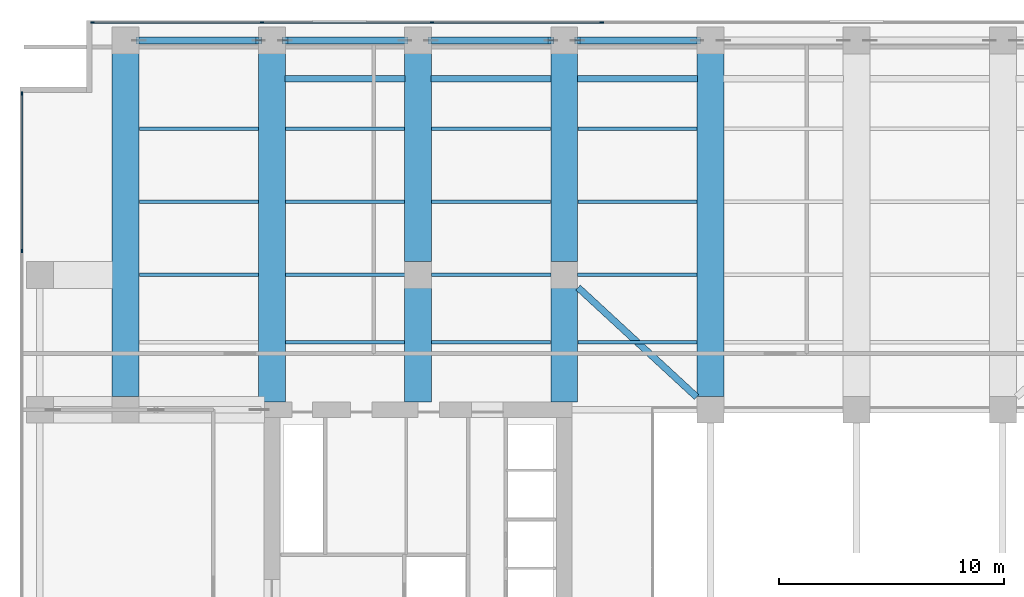
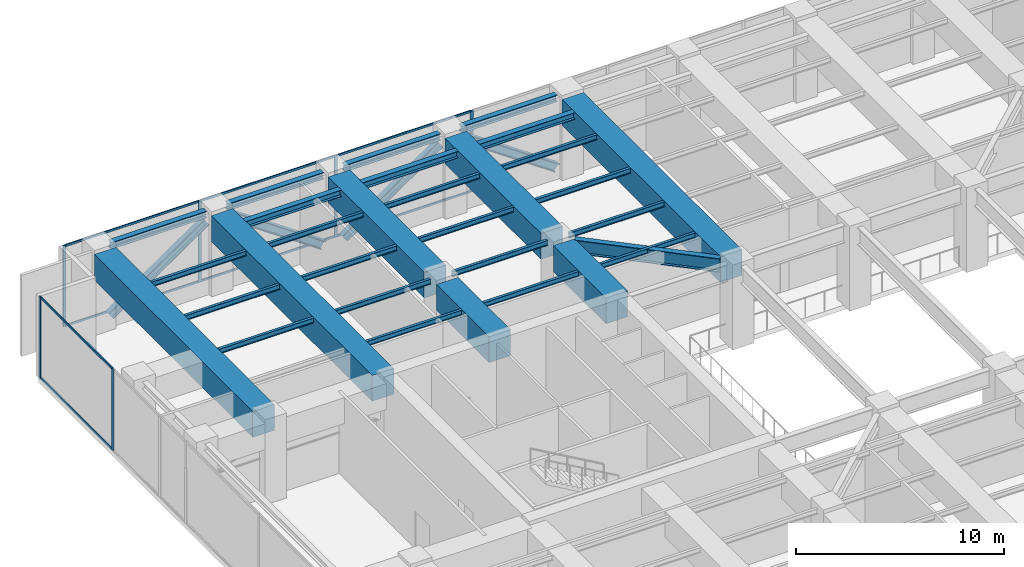
# One storey, part 8 of 28: 30 beams, 18 members, 2 elements without a shape of their own.
"""IFC4 building model written with IfcOpenShell, lengths in metres."""

import ifcopenshell
import ifcopenshell.guid

model = None  # the IFC model being written
_history = None  # IfcOwnerHistory: only IFC2X3 demands one
_inside = {}  # id of a spatial element -> (the spatial element, [elements in it])
_under = {}  # id of a project, library or spatial element -> (it, [spatial elements below it])
_declared = {}  # id of a project -> (the project, [libraries it declares])
_typed = {}  # id of a type object -> (the type object, [elements of that type])
_made_of = {}  # id of a material, layer set ... -> (it, [elements and type objects made of it])


def new_model(schema):
    """Start an empty IFC model of exactly this schema.

    Asked for "IFC4X3", IfcOpenShell would pick the latest addendum, in which some entities
    have other attributes; the version numbers below select the first issue.
    IFC2X3 requires an IfcOwnerHistory on every rooted entity: one is made here for all.
    """
    global model, _history
    if schema == "IFC4X3":
        model = ifcopenshell.file(schema_version=(4, 3, 0, 0))
    else:
        model = ifcopenshell.file(schema=schema)
    _inside.clear()
    _under.clear()
    _declared.clear()
    _typed.clear()
    _made_of.clear()
    _history = None
    if model.schema == "IFC2X3":
        org = make("IfcOrganization", Name="unknown")
        user = make(
            "IfcPersonAndOrganization",
            ThePerson=make("IfcPerson", FamilyName="unknown"),
            TheOrganization=org,
        )
        app = make(
            "IfcApplication",
            ApplicationDeveloper=org,
            Version="unknown",
            ApplicationFullName="unknown",
            ApplicationIdentifier="unknown",
        )
        _history = make(
            "IfcOwnerHistory",
            OwningUser=user,
            OwningApplication=app,
            ChangeAction="ADDED",
            CreationDate=0,
        )
    return model


def make(cls, **values):
    """One entity of the class cls with the attributes given. An attribute that is None is left unset."""
    return model.create_entity(
        cls, **{name: value for name, value in values.items() if value is not None}
    )


def rooted(cls, **values):
    """An entity with a GlobalId (a new one), such as an element, a storey or a relation."""
    return make(cls, GlobalId=ifcopenshell.guid.new(), OwnerHistory=_history, **values)


def si_unit(unit_type, name, prefix=None):
    """IfcSIUnit, for example si_unit("LENGTHUNIT", "METRE", prefix="MILLI")."""
    return make("IfcSIUnit", UnitType=unit_type, Prefix=prefix, Name=name)


def assignment(units):
    """IfcUnitAssignment: the units of a project."""
    return None if units is None else make("IfcUnitAssignment", Units=units)


def point(xyz):
    """IfcCartesianPoint."""
    return None if xyz is None else make("IfcCartesianPoint", Coordinates=xyz)


def direction(xyz):
    """IfcDirection."""
    return None if xyz is None else make("IfcDirection", DirectionRatios=xyz)


def frame(location, z_axis=None, x_axis=None):
    """IfcAxis2Placement3D, a coordinate frame: its origin and axes. An axis left out is left unset."""
    return make(
        "IfcAxis2Placement3D",
        Location=point(location),
        Axis=direction(z_axis),
        RefDirection=direction(x_axis),
    )


def frame_2d(location, x_axis=None):
    """IfcAxis2Placement2D, a coordinate frame in the plane: its origin and x axis."""
    return make(
        "IfcAxis2Placement2D", Location=point(location), RefDirection=direction(x_axis)
    )


def origin():
    """The frame at (0, 0, 0) with its axes left unset."""
    return frame((0.0, 0.0, 0.0))


def origin_2d():
    """The frame at (0, 0) in the plane with its x axis left unset."""
    return frame_2d((0.0, 0.0))


def place(relative_to, where):
    """IfcLocalPlacement: puts the frame where relative to a parent placement (None: the world)."""
    return make(
        "IfcLocalPlacement", PlacementRelTo=relative_to, RelativePlacement=where
    )


def context(
    kind, dimensions, precision=None, world=None, true_north=None, identifier=None
):
    """IfcGeometricRepresentationContext, for example the 3D "Model" context."""
    return make(
        "IfcGeometricRepresentationContext",
        ContextIdentifier=identifier,
        ContextType=kind,
        CoordinateSpaceDimension=dimensions,
        Precision=precision,
        WorldCoordinateSystem=world,
        TrueNorth=true_north,
    )


def subcontext(parent, identifier, kind, view, scale=None):
    """IfcGeometricRepresentationSubContext, for example "Body" below "Model"."""
    return make(
        "IfcGeometricRepresentationSubContext",
        ContextIdentifier=identifier,
        ContextType=kind,
        ParentContext=parent,
        TargetScale=scale,
        TargetView=view,
    )


def project(units=None, contexts=None):
    """IfcProject with its units and contexts."""
    return rooted(
        "IfcProject",
        Name="project",
        RepresentationContexts=contexts,
        UnitsInContext=assignment(units),
    )


def spatial(cls, under=None, at=None, **own):
    """A site, building, storey or space (cls), placed at a placement, below another one or the project."""
    s = rooted(cls, ObjectPlacement=at, **own)
    if under is not None:
        _under.setdefault(under.id(), (under, []))[1].append(s)
    return s


def profile(cls, at=None, kind="AREA", **sizes):
    """A parametric profile (cls). Its sizes go by their IFC names, for example OverallWidth=200.0."""
    return make(cls, ProfileType=kind, Position=at, **sizes)


def rectangle(**sizes):
    """IfcRectangleProfileDef."""
    return profile("IfcRectangleProfileDef", **sizes)


def i_section(**sizes):
    """IfcIShapeProfileDef."""
    return profile("IfcIShapeProfileDef", **sizes)


def extrude(swept, where, along, depth):
    """IfcExtrudedAreaSolid: the profile swept, set in the frame where, extruded along a direction by depth."""
    return make(
        "IfcExtrudedAreaSolid",
        SweptArea=swept,
        Position=where,
        ExtrudedDirection=direction(along),
        Depth=depth,
    )


def shape(context_of_items, identifier, shape_type, items):
    """IfcShapeRepresentation: the items that make up one representation, for example the "Body"."""
    return make(
        "IfcShapeRepresentation",
        ContextOfItems=context_of_items,
        RepresentationIdentifier=identifier,
        RepresentationType=shape_type,
        Items=items,
    )


def material(Name=None, Category=None):
    """IfcMaterial."""
    return make("IfcMaterial", Name=Name, Category=Category)


def layer(
    of_material, thickness, ventilated=None, Name=None, Category=None, Priority=None
):
    """IfcMaterialLayer: one layer of a wall or slab, of a material (None: an air gap)."""
    return make(
        "IfcMaterialLayer",
        Material=of_material,
        LayerThickness=thickness,
        IsVentilated=ventilated,
        Name=Name,
        Category=Category,
        Priority=Priority,
    )


def layer_set(layers, Name=None):
    """IfcMaterialLayerSet."""
    return make("IfcMaterialLayerSet", MaterialLayers=layers, LayerSetName=Name)


def material_profile(
    of_material, cross_section, Name=None, Category=None, Priority=None
):
    """IfcMaterialProfile: a cross section and its material."""
    return make(
        "IfcMaterialProfile",
        Name=Name,
        Material=of_material,
        Profile=cross_section,
        Priority=Priority,
        Category=Category,
    )


def profile_set(profiles, Name=None, composite=None):
    """IfcMaterialProfileSet."""
    return make(
        "IfcMaterialProfileSet",
        Name=Name,
        MaterialProfiles=profiles,
        CompositeProfile=composite,
    )


def made_of(thing, what):
    """Note that an element or type object is made of a material, layer set ...; save() writes the relation."""
    if what is not None:
        _made_of.setdefault(what.id(), (what, []))[1].append(thing)
    return thing


def type_object(cls, material=None, **own):
    """A type object (cls), such as IfcWallType, which elements share."""
    return made_of(rooted(cls, **own), material)


def element(
    cls,
    number,
    at=None,
    inside=None,
    cuts=None,
    type_object=None,
    material=None,
    context=None,
    identifier="Body",
    shape_type=None,
    held_by="IfcProductDefinitionShape",
    body=None,
    shapes=None,
    **own,
):
    """One element of the class cls, such as IfcWall. Its Tag is "e" and its number.

    at: its placement. inside: the storey or other place that contains it. cuts: it is an
    opening in that element (IfcRelVoidsElement). A single representation is given by context,
    identifier, shape_type and body (its items); several are given by shapes. held_by: the class
    of the entity that holds the representations. save() writes the other relations.
    """
    e = rooted(cls, Tag="e%d" % number, ObjectPlacement=at, **own)
    if body is not None:
        shapes = [shape(context, identifier, shape_type, body)]
    if shapes is not None:
        e.Representation = make(held_by, Representations=shapes)
    if inside is not None:
        _inside.setdefault(inside.id(), (inside, []))[1].append(e)
    if cuts is not None:
        rooted(
            "IfcRelVoidsElement", RelatingBuildingElement=cuts, RelatedOpeningElement=e
        )
    if type_object is not None:
        _typed.setdefault(type_object.id(), (type_object, []))[1].append(e)
    return made_of(e, material)


def aggregate(whole, parts):
    """IfcRelAggregates: a whole, such as a stair, and the parts it consists of."""
    return rooted("IfcRelAggregates", RelatingObject=whole, RelatedObjects=parts)


def save(model, path):
    """Write the relations noted so far, then the file.

    IfcRelAggregates (storeys below a building ...), IfcRelContainedInSpatialStructure (elements
    in a storey), IfcRelDefinesByType, IfcRelAssociatesMaterial and IfcRelDeclares: one each for
    every whole, place, type object, material and project.
    """
    for whole, parts in _under.values():
        aggregate(whole, parts)
    for where, things in _inside.values():
        rooted(
            "IfcRelContainedInSpatialStructure",
            RelatedElements=things,
            RelatingStructure=where,
        )
    for kind, things in _typed.values():
        rooted("IfcRelDefinesByType", RelatedObjects=things, RelatingType=kind)
    for what, things in _made_of.values():
        rooted("IfcRelAssociatesMaterial", RelatedObjects=things, RelatingMaterial=what)
    for by, libraries in _declared.values():
        rooted("IfcRelDeclares", RelatingContext=by, RelatedDefinitions=libraries)
    model.write(path)


model = new_model("IFC4")

# Units and contexts
model_context = context("Model", 3, precision=1e-05, world=origin(), true_north=direction((0.0, 1.0)))
body_context = subcontext(model_context, "Body", "Model", "MODEL_VIEW")
ifc_project = project(units=[si_unit("LENGTHUNIT", "METRE"), si_unit("AREAUNIT", "SQUARE_METRE"), si_unit("VOLUMEUNIT", "CUBIC_METRE"), si_unit("PLANEANGLEUNIT", "RADIAN"), si_unit("MASSUNIT", "GRAM", prefix="KILO")], contexts=[model_context])

# Site, building, storey
site_placement = place(None, origin())
site = spatial("IfcSite", under=ifc_project, at=site_placement, CompositionType="ELEMENT")
building_placement = place(site_placement, origin())
building = spatial("IfcBuilding", under=site, at=building_placement, Name="Putna Gate Headquarters", CompositionType="ELEMENT")
storey_placement = place(building_placement, frame((0.0, 0.0, 139.199951171875)))
storey = spatial("IfcBuildingStorey", under=building, at=storey_placement, Name="L34", CompositionType="ELEMENT", Elevation=139.199951171875)

# Beams
ifc_material_1 = material(Name="Steel S355J2", Category="steel")
ifc_material_profile_1 = material_profile(ifc_material_1, i_section(OverallWidth=0.300048828125, OverallDepth=0.800048828125, WebThickness=0.017578125, FlangeThickness=0.032958984375, at=origin_2d()), Name="Steel S355J2")
ifc_profile_set_1 = profile_set([ifc_material_profile_1], Name="Steel S355J2")
beam_type_1 = type_object("IfcBeamType", Name="BM-GIRD-P-HEB800", PredefinedType="USERDEFINED", material=ifc_profile_set_1)
beam_1_placement = place(storey_placement, frame((26.6142578125, 38.43310546875, 4.3720703125), z_axis=(0.734787788201, -0.678297063469, 0.0), x_axis=(0.678297063469, 0.734787788201, 0.0)))
element("IfcBeam", 1, at=beam_1_placement, inside=storey, type_object=beam_type_1, Name="L34 Core Flank Collector Tie Girder NW", ObjectType="GIRDER", PredefinedType="USERDEFINED", context=body_context, shape_type="SweptSolid", body=[
    extrude(i_section(OverallWidth=0.300048828125, OverallDepth=0.800048828125, WebThickness=0.017578125, FlangeThickness=0.032958984375, at=origin_2d()), origin(), (0.0, 0.0, 1.0), 7.174072265625),
])
ifc_material_profile_2 = material_profile(ifc_material_1, i_section(OverallWidth=0.14990234375, OverallDepth=0.300048828125, WebThickness=0.007080078125, FlangeThickness=0.0107421875, at=origin_2d()), Name="Steel S355J2")
ifc_profile_set_2 = profile_set([ifc_material_profile_2], Name="Steel S355J2")
beam_type_2 = type_object("IfcBeamType", Name="BM-SEC-Z3-IPE300", PredefinedType="JOIST", material=ifc_profile_set_2)
for number, where, z_axis, x_axis, name in (
    (2, (7.10400390625, 39.0, 4.6220703125), (1.0, 0.0, 0.0), (0.0, 1.0, 0.0), "L34 North Secondary Beam 1"),
    (3, (7.10400390625, 42.25, 4.6220703125), (1.0, 0.0, 0.0), (0.0, 1.0, 0.0), "L34 North Secondary Beam 1"),
    (4, (7.10400390625, 45.5, 4.6220703125), (1.0, 0.0, 0.0), (0.0, 1.0, 0.0), "L34 North Secondary Beam 1"),
    (5, (13.60400390625, 36.0, 4.6220703125), (1.0, 0.0, 0.0), (0.0, 1.0, 0.0), "L34 North Secondary Beam 2"),
):
    element("IfcBeam", number, at=place(storey_placement, frame(where, z_axis=z_axis, x_axis=x_axis)), inside=storey, type_object=beam_type_2, Name=name, PredefinedType="JOIST", context=body_context, shape_type="SweptSolid", body=[
        extrude(i_section(OverallWidth=0.14990234375, OverallDepth=0.300048828125, WebThickness=0.007080078125, FlangeThickness=0.0107421875, at=origin_2d()), origin(), (0.0, 0.0, 1.0), 5.2919921875),
    ])
beam_2_placement = place(storey_placement, frame((13.60400390625, 39.0, 4.6220703125), z_axis=(1.0, 0.0, 0.0), x_axis=(0.0, 1.0, 0.0)))
element("IfcBeam", 6, at=beam_2_placement, inside=storey, type_object=beam_type_2, Name="L34 North Secondary Beam 2", PredefinedType="JOIST", context=body_context, shape_type="SweptSolid", body=[
    extrude(i_section(OverallWidth=0.14990234375, OverallDepth=0.300048828125, WebThickness=0.007080078125, FlangeThickness=0.0107421875, at=origin_2d()), origin(), (0.0, 0.0, 1.0), 5.30810546875),
])
for number, where, z_axis, x_axis, name in (
    (7, (13.60400390625, 42.25, 4.6220703125), (1.0, 0.0, 0.0), (0.0, 1.0, 0.0), "L34 North Secondary Beam 2"),
    (8, (13.60400390625, 45.5, 4.6220703125), (1.0, 0.0, 0.0), (0.0, 1.0, 0.0), "L34 North Secondary Beam 2"),
    (9, (20.10400390625, 36.0, 4.6220703125), (1.0, 0.0, 0.0), (0.0, 1.0, 0.0), "L34 North Secondary Beam 3"),
):
    element("IfcBeam", number, at=place(storey_placement, frame(where, z_axis=z_axis, x_axis=x_axis)), inside=storey, type_object=beam_type_2, Name=name, PredefinedType="JOIST", context=body_context, shape_type="SweptSolid", body=[
        extrude(i_section(OverallWidth=0.14990234375, OverallDepth=0.300048828125, WebThickness=0.007080078125, FlangeThickness=0.0107421875, at=origin_2d()), origin(), (0.0, 0.0, 1.0), 5.2919921875),
    ])
beam_3_placement = place(storey_placement, frame((20.087890625, 39.0, 4.6220703125), z_axis=(1.0, 0.0, 0.0), x_axis=(0.0, 1.0, 0.0)))
element("IfcBeam", 10, at=beam_3_placement, inside=storey, type_object=beam_type_2, Name="L34 North Secondary Beam 3", PredefinedType="JOIST", context=body_context, shape_type="SweptSolid", body=[
    extrude(i_section(OverallWidth=0.14990234375, OverallDepth=0.300048828125, WebThickness=0.007080078125, FlangeThickness=0.0107421875, at=origin_2d()), origin(), (0.0, 0.0, 1.0), 5.32421875),
])
for number, where, z_axis, x_axis, name in (
    (11, (20.10400390625, 42.25, 4.6220703125), (1.0, 0.0, 0.0), (0.0, 1.0, 0.0), "L34 North Secondary Beam 3"),
    (12, (20.10400390625, 45.5, 4.6220703125), (1.0, 0.0, 0.0), (0.0, 1.0, 0.0), "L34 North Secondary Beam 3"),
    (13, (26.60400390625, 36.0, 4.6220703125), (1.0, 0.0, 0.0), (0.0, 1.0, 0.0), "L34 North Secondary Beam 4"),
):
    element("IfcBeam", number, at=place(storey_placement, frame(where, z_axis=z_axis, x_axis=x_axis)), inside=storey, type_object=beam_type_2, Name=name, PredefinedType="JOIST", context=body_context, shape_type="SweptSolid", body=[
        extrude(i_section(OverallWidth=0.14990234375, OverallDepth=0.300048828125, WebThickness=0.007080078125, FlangeThickness=0.0107421875, at=origin_2d()), origin(), (0.0, 0.0, 1.0), 5.2919921875),
    ])
beam_4_placement = place(storey_placement, frame((26.587890625, 39.0, 4.6220703125), z_axis=(1.0, 0.0, 0.0), x_axis=(0.0, 1.0, 0.0)))
element("IfcBeam", 14, at=beam_4_placement, inside=storey, type_object=beam_type_2, Name="L34 North Secondary Beam 4", PredefinedType="JOIST", context=body_context, shape_type="SweptSolid", body=[
    extrude(i_section(OverallWidth=0.14990234375, OverallDepth=0.300048828125, WebThickness=0.007080078125, FlangeThickness=0.0107421875, at=origin_2d()), origin(), (0.0, 0.0, 1.0), 5.30810546875),
])
for number, where, z_axis, x_axis, name in (
    (15, (26.60400390625, 42.25, 4.6220703125), (1.0, 0.0, 0.0), (0.0, 1.0, 0.0), "L34 North Secondary Beam 4"),
    (16, (26.60400390625, 45.5, 4.6220703125), (1.0, 0.0, 0.0), (0.0, 1.0, 0.0), "L34 North Secondary Beam 4"),
):
    element("IfcBeam", number, at=place(storey_placement, frame(where, z_axis=z_axis, x_axis=x_axis)), inside=storey, type_object=beam_type_2, Name=name, PredefinedType="JOIST", context=body_context, shape_type="SweptSolid", body=[
        extrude(i_section(OverallWidth=0.14990234375, OverallDepth=0.300048828125, WebThickness=0.007080078125, FlangeThickness=0.0107421875, at=origin_2d()), origin(), (0.0, 0.0, 1.0), 5.2919921875),
    ])
ifc_material_profile_3 = material_profile(ifc_material_1, i_section(OverallWidth=0.300048828125, OverallDepth=0.39990234375, WebThickness=0.013427734375, FlangeThickness=0.02392578125, at=origin_2d()), Name="Steel S355J2")
ifc_profile_set_3 = profile_set([ifc_material_profile_3], Name="Steel S355J2")
beam_type_3 = type_object("IfcBeamType", Name="BM-SPAN-Z3-HEB400", PredefinedType="SPANDREL", material=ifc_profile_set_3)
for number, where, z_axis, x_axis, name in (
    (17, (7.087890625, 49.419921875, 4.572021484375), (1.0, 0.0, 0.0), (0.0, 1.0, 0.0), "L34 N Perimeter Spandrel 1"),
    (18, (13.587890625, 49.419921875, 4.572021484375), (1.0, 0.0, 0.0), (0.0, 1.0, 0.0), "L34 N Perimeter Spandrel 2"),
    (19, (20.087890625, 49.419921875, 4.572021484375), (1.0, 0.0, 0.0), (0.0, 1.0, 0.0), "L34 N Perimeter Spandrel 3"),
    (20, (26.587890625, 49.419921875, 4.572021484375), (1.0, 0.0, 0.0), (0.0, 1.0, 0.0), "L34 N Perimeter Spandrel 4"),
):
    element("IfcBeam", number, at=place(storey_placement, frame(where, z_axis=z_axis, x_axis=x_axis)), inside=storey, type_object=beam_type_3, Name=name, PredefinedType="SPANDREL", context=body_context, shape_type="SweptSolid", body=[
        extrude(i_section(OverallWidth=0.300048828125, OverallDepth=0.39990234375, WebThickness=0.013427734375, FlangeThickness=0.02392578125, at=origin_2d()), origin(), (0.0, 0.0, 1.0), 5.32421875),
    ])
for number, where, z_axis, x_axis, name in (
    (21, (13.5849609375, 47.719970703125, 4.572021484375), (1.0, 0.0, 0.0), (0.0, 1.0, 0.0), "L34 Setback Edge Beam N1"),
    (22, (20.0849609375, 47.719970703125, 4.572021484375), (1.0, 0.0, 0.0), (0.0, 1.0, 0.0), "L34 Setback Edge Beam N2"),
    (23, (26.5849609375, 47.719970703125, 4.572021484375), (1.0, 0.0, 0.0), (0.0, 1.0, 0.0), "L34 Setback Edge Beam N3"),
):
    element("IfcBeam", number, at=place(storey_placement, frame(where, z_axis=z_axis, x_axis=x_axis)), inside=storey, type_object=beam_type_3, Name=name, PredefinedType="SPANDREL", context=body_context, shape_type="SweptSolid", body=[
        extrude(i_section(OverallWidth=0.300048828125, OverallDepth=0.39990234375, WebThickness=0.013427734375, FlangeThickness=0.02392578125, at=origin_2d()), origin(), (0.0, 0.0, 1.0), 5.330078125),
    ])
ifc_material_2 = material(Name="Concrete C50/60", Category="concrete")
ifc_material_profile_4 = material_profile(ifc_material_2, rectangle(XDim=1.199951171875, YDim=1.52001953125, at=origin_2d()), Name="Concrete C50/60")
ifc_profile_set_4 = profile_set([ifc_material_profile_4], Name="Concrete C50/60")
beam_type_4 = type_object("IfcBeamType", Name="BM-TG-RC1520", PredefinedType="USERDEFINED", material=ifc_profile_set_4)
beam_5_placement = place(storey_placement, frame((6.5, 33.587890625, 4.011962890625), z_axis=(0.0, 1.0, 0.0), x_axis=(-1.0, 0.0, 0.0)))
element("IfcBeam", 24, at=beam_5_placement, inside=storey, type_object=beam_type_4, Name="L34 North Primary Girder X6", ObjectType="GIRDER", PredefinedType="USERDEFINED", context=body_context, shape_type="SweptSolid", body=[
    extrude(rectangle(XDim=1.199951171875, YDim=1.52001953125, at=origin_2d()), origin(), (0.0, 0.0, 1.0), 15.244140625),
])
beam_6_placement = place(storey_placement, frame((13.0, 33.3349609375, 4.011962890625), z_axis=(0.0, 1.0, 0.0), x_axis=(-1.0, 0.0, 0.0)))
element("IfcBeam", 25, at=beam_6_placement, inside=storey, type_object=beam_type_4, Name="L34 North Primary Girder X13", ObjectType="GIRDER", PredefinedType="USERDEFINED", context=body_context, shape_type="SweptSolid", body=[
    extrude(rectangle(XDim=1.199951171875, YDim=1.52001953125, at=origin_2d()), origin(), (0.0, 0.0, 1.0), 15.4970703125),
])
beam_7_placement = place(storey_placement, frame((19.5, 33.3349609375, 4.011962890625), z_axis=(0.0, 1.0, 0.0), x_axis=(-1.0, 0.0, 0.0)))
element("IfcBeam", 26, at=beam_7_placement, inside=storey, type_object=beam_type_4, Name="L34 North Primary Girder X19-1", ObjectType="GIRDER", PredefinedType="USERDEFINED", context=body_context, shape_type="SweptSolid", body=[
    extrude(rectangle(XDim=1.199951171875, YDim=1.52001953125, at=origin_2d()), origin(), (0.0, 0.0, 1.0), 5.0771484375),
])
beam_8_placement = place(storey_placement, frame((19.5, 39.587890625, 4.011962890625), z_axis=(0.0, 1.0, 0.0), x_axis=(-1.0, 0.0, 0.0)))
element("IfcBeam", 27, at=beam_8_placement, inside=storey, type_object=beam_type_4, Name="L34 North Primary Girder X19-2", ObjectType="GIRDER", PredefinedType="USERDEFINED", context=body_context, shape_type="SweptSolid", body=[
    extrude(rectangle(XDim=1.199951171875, YDim=1.52001953125, at=origin_2d()), origin(), (0.0, 0.0, 1.0), 9.244140625),
])
beam_9_placement = place(storey_placement, frame((26.0, 33.3349609375, 4.011962890625), z_axis=(0.0, 1.0, 0.0), x_axis=(-1.0, 0.0, 0.0)))
element("IfcBeam", 28, at=beam_9_placement, inside=storey, type_object=beam_type_4, Name="L34 North Primary Girder X26-1", ObjectType="GIRDER", PredefinedType="USERDEFINED", context=body_context, shape_type="SweptSolid", body=[
    extrude(rectangle(XDim=1.199951171875, YDim=1.52001953125, at=origin_2d()), origin(), (0.0, 0.0, 1.0), 5.0771484375),
])
beam_10_placement = place(storey_placement, frame((26.0, 39.587890625, 4.011962890625), z_axis=(0.0, 1.0, 0.0), x_axis=(-1.0, 0.0, 0.0)))
element("IfcBeam", 29, at=beam_10_placement, inside=storey, type_object=beam_type_4, Name="L34 North Primary Girder X26-2", ObjectType="GIRDER", PredefinedType="USERDEFINED", context=body_context, shape_type="SweptSolid", body=[
    extrude(rectangle(XDim=1.199951171875, YDim=1.52001953125, at=origin_2d()), origin(), (0.0, 0.0, 1.0), 9.244140625),
])
beam_11_placement = place(storey_placement, frame((32.5, 33.587890625, 4.011962890625), z_axis=(0.0, 1.0, 0.0), x_axis=(-1.0, 0.0, 0.0)))
element("IfcBeam", 30, at=beam_11_placement, inside=storey, type_object=beam_type_4, Name="L34 North Primary Girder X32", ObjectType="GIRDER", PredefinedType="USERDEFINED", context=body_context, shape_type="SweptSolid", body=[
    extrude(rectangle(XDim=1.199951171875, YDim=1.52001953125, at=origin_2d()), origin(), (0.0, 0.0, 1.0), 15.244140625),
])

# Members
ifc_material_3 = material(Name="Steel S460M", Category="steel")
ifc_material_profile_5 = material_profile(ifc_material_3, i_section(OverallWidth=0.306884765625, OverallDepth=0.47802734375, WebThickness=0.02099609375, FlangeThickness=0.0400390625, at=origin_2d()), Name="Steel S460M")
ifc_profile_set_5 = profile_set([ifc_material_profile_5], Name="Steel S460M")
member_type_1 = type_object("IfcMemberType", Name="MEM-BELT-DIAG-HEM450", PredefinedType="BRACE", material=ifc_profile_set_5)
for number, where, z_axis, x_axis, name in (
    (31, (7.0849609375, 49.419921875, 0.449951171875), (0.823486846025, 0.0, 0.567335363277), (0.0, 1.0, 0.0), "L34 Belt Truss Diagonal N1"),
    (32, (13.5849609375, 49.419921875, 4.1220703125), (0.823486846025, 0.0, -0.567335363277), (0.0, 1.0, 0.0), "L34 Belt Truss Diagonal N2"),
    (33, (20.0849609375, 49.419921875, 0.449951171875), (0.823486846025, 0.0, 0.567335363277), (0.0, 1.0, 0.0), "L34 Belt Truss Diagonal N3"),
    (34, (26.5849609375, 49.419921875, 4.1220703125), (0.823486846025, 0.0, -0.567335363277), (0.0, 1.0, 0.0), "L34 Belt Truss Diagonal N4"),
):
    element("IfcMember", number, at=place(storey_placement, frame(where, z_axis=z_axis, x_axis=x_axis)), inside=storey, type_object=member_type_1, Name=name, PredefinedType="BRACE", context=body_context, shape_type="SweptSolid", body=[
        extrude(i_section(OverallWidth=0.306884765625, OverallDepth=0.47802734375, WebThickness=0.02099609375, FlangeThickness=0.0400390625, at=origin_2d()), origin(), (0.0, 0.0, 1.0), 6.47265625),
    ])

# Curtain wall, members
ifc_material_4 = material(Name="Anodised bronze aluminium curtain wall", Category="aluminium")
ifc_layer = layer(ifc_material_4, 0.159912109375)
ifc_layer_set = layer_set([ifc_layer], Name="Anodised bronze aluminium curtain wall")
curtain_wall_type = type_object("IfcCurtainWallType", Name="CW-SYS-CRN", PredefinedType="USERDEFINED", material=ifc_layer_set)
curtain_wall_1_placement = place(storey_placement, origin())
curtain_wall_1 = element("IfcCurtainWall", 35, at=curtain_wall_1_placement, inside=storey, type_object=curtain_wall_type, Name="L34 Acoustic Louvre North Enclosure", ObjectType="STICK CURTAIN WALL", PredefinedType="USERDEFINED")
ifc_material_5 = material(Name="Anodised bronze aluminium EN AW-6060", Category="aluminium")
ifc_material_profile_6 = material_profile(ifc_material_5, rectangle(XDim=0.06494140625, YDim=0.159912109375, at=origin_2d()), Name="Anodised bronze aluminium EN AW-6060")
ifc_profile_set_6 = profile_set([ifc_material_profile_6], Name="Anodised bronze aluminium EN AW-6060")
member_type_2 = type_object("IfcMemberType", Name="MULL-CWM-CR", PredefinedType="MULLION", material=ifc_profile_set_6)
member_1_placement = place(storey_placement, frame((5.032470703125, 50.219970703125, 0.0), z_axis=(0.0, 0.0, 1.0), x_axis=(0.0, 1.0, 0.0)))
member_1 = element("IfcMember", 36, at=member_1_placement, type_object=member_type_2, Name="CWS-CR mullion 1", PredefinedType="MULLION", context=body_context, shape_type="SweptSolid", body=[
    extrude(rectangle(XDim=0.06494140625, YDim=0.159912109375, at=origin_2d()), origin(), (0.0, 0.0, 1.0), 4.77197265625),
])
member_2_placement = place(storey_placement, frame((12.5556640625, 50.219970703125, 0.0), z_axis=(0.0, 0.0, 1.0), x_axis=(0.0, 1.0, 0.0)))
member_2 = element("IfcMember", 37, at=member_2_placement, type_object=member_type_2, Name="CWS-CR mullion 2", PredefinedType="MULLION", context=body_context, shape_type="SweptSolid", body=[
    extrude(rectangle(XDim=0.06494140625, YDim=0.159912109375, at=origin_2d()), origin(), (0.0, 0.0, 1.0), 4.77197265625),
])
member_3_placement = place(storey_placement, frame((20.111083984375, 50.219970703125, 0.0), z_axis=(0.0, 0.0, 1.0), x_axis=(0.0, 1.0, 0.0)))
member_3 = element("IfcMember", 38, at=member_3_placement, type_object=member_type_2, Name="CWS-CR mullion 3", PredefinedType="MULLION", context=body_context, shape_type="SweptSolid", body=[
    extrude(rectangle(XDim=0.06494140625, YDim=0.159912109375, at=origin_2d()), origin(), (0.0, 0.0, 1.0), 4.77197265625),
])
member_4_placement = place(storey_placement, frame((27.666748046875, 50.219970703125, 0.0), z_axis=(0.0, 0.0, 1.0), x_axis=(0.0, 1.0, 0.0)))
member_4 = element("IfcMember", 39, at=member_4_placement, type_object=member_type_2, Name="CWS-CR mullion 4", PredefinedType="MULLION", context=body_context, shape_type="SweptSolid", body=[
    extrude(rectangle(XDim=0.06494140625, YDim=0.159912109375, at=origin_2d()), origin(), (0.0, 0.0, 1.0), 4.77197265625),
])

curtain_wall_2_placement = place(storey_placement, origin())
curtain_wall_2 = element("IfcCurtainWall", 40, at=curtain_wall_2_placement, inside=storey, type_object=curtain_wall_type, Name="L34 Acoustic Louvre West Enclosure", ObjectType="STICK CURTAIN WALL", PredefinedType="USERDEFINED")
member_5_placement = place(storey_placement, frame((1.8798828125, 40.066650390625, 0.0), z_axis=(0.0, 0.0, 1.0), x_axis=(-1.0, 0.0, 0.0)))
member_5 = element("IfcMember", 41, at=member_5_placement, type_object=member_type_2, Name="CWS-CR mullion 6", PredefinedType="MULLION", context=body_context, shape_type="SweptSolid", body=[
    extrude(rectangle(XDim=0.06494140625, YDim=0.159912109375, at=origin_2d()), origin(), (0.0, 0.0, 1.0), 4.77197265625),
])
member_6_placement = place(storey_placement, frame((1.8798828125, 47.0673828125, 0.0), z_axis=(0.0, 0.0, 1.0), x_axis=(-1.0, 0.0, 0.0)))
member_6 = element("IfcMember", 42, at=member_6_placement, type_object=member_type_2, Name="CWS-CR mullion 7", PredefinedType="MULLION", context=body_context, shape_type="SweptSolid", body=[
    extrude(rectangle(XDim=0.06494140625, YDim=0.159912109375, at=origin_2d()), origin(), (0.0, 0.0, 1.0), 4.77197265625),
])

# Member
ifc_material_profile_7 = material_profile(ifc_material_5, rectangle(XDim=0.06494140625, YDim=0.1201171875, at=origin_2d()), Name="Anodised bronze aluminium EN AW-6060")
ifc_profile_set_7 = profile_set([ifc_material_profile_7], Name="Anodised bronze aluminium EN AW-6060")
member_type_3 = type_object("IfcMemberType", Name="TRAN-CWT-CR", PredefinedType="USERDEFINED", material=ifc_profile_set_7)
member_7_placement = place(storey_placement, frame((5.06494140625, 50.219970703125, 0.032470703125), z_axis=(1.0, 0.0, 0.0), x_axis=(0.0, 1.0, 0.0)))
member_7 = element("IfcMember", 43, at=member_7_placement, type_object=member_type_3, Name="CWS-CR transom 1.1", ObjectType="TRANSOM", PredefinedType="USERDEFINED", context=body_context, shape_type="SweptSolid", body=[
    extrude(rectangle(XDim=0.06494140625, YDim=0.1201171875, at=origin_2d()), origin(), (0.0, 0.0, 1.0), 7.4580078125),
])

member_8_placement = place(storey_placement, frame((5.06494140625, 50.219970703125, 4.739501953125), z_axis=(1.0, 0.0, 0.0), x_axis=(0.0, 1.0, 0.0)))
member_8 = element("IfcMember", 44, at=member_8_placement, type_object=member_type_3, Name="CWS-CR transom 1.2", ObjectType="TRANSOM", PredefinedType="USERDEFINED", context=body_context, shape_type="SweptSolid", body=[
    extrude(rectangle(XDim=0.06494140625, YDim=0.1201171875, at=origin_2d()), origin(), (0.0, 0.0, 1.0), 7.4580078125),
])

member_9_placement = place(storey_placement, frame((12.588134765625, 50.219970703125, 0.032470703125), z_axis=(1.0, 0.0, 0.0), x_axis=(0.0, 1.0, 0.0)))
member_9 = element("IfcMember", 45, at=member_9_placement, type_object=member_type_3, Name="CWS-CR transom 2.1", ObjectType="TRANSOM", PredefinedType="USERDEFINED", context=body_context, shape_type="SweptSolid", body=[
    extrude(rectangle(XDim=0.06494140625, YDim=0.1201171875, at=origin_2d()), origin(), (0.0, 0.0, 1.0), 7.490478515625),
])

member_10_placement = place(storey_placement, frame((12.588134765625, 50.219970703125, 4.739501953125), z_axis=(1.0, 0.0, 0.0), x_axis=(0.0, 1.0, 0.0)))
member_10 = element("IfcMember", 46, at=member_10_placement, type_object=member_type_3, Name="CWS-CR transom 2.2", ObjectType="TRANSOM", PredefinedType="USERDEFINED", context=body_context, shape_type="SweptSolid", body=[
    extrude(rectangle(XDim=0.06494140625, YDim=0.1201171875, at=origin_2d()), origin(), (0.0, 0.0, 1.0), 7.490478515625),
])

member_11_placement = place(storey_placement, frame((20.1435546875, 50.219970703125, 0.032470703125), z_axis=(1.0, 0.0, 0.0), x_axis=(0.0, 1.0, 0.0)))
member_11 = element("IfcMember", 47, at=member_11_placement, type_object=member_type_3, Name="CWS-CR transom 3.1", ObjectType="TRANSOM", PredefinedType="USERDEFINED", context=body_context, shape_type="SweptSolid", body=[
    extrude(rectangle(XDim=0.06494140625, YDim=0.1201171875, at=origin_2d()), origin(), (0.0, 0.0, 1.0), 7.49072265625),
])

member_12_placement = place(storey_placement, frame((20.1435546875, 50.219970703125, 4.739501953125), z_axis=(1.0, 0.0, 0.0), x_axis=(0.0, 1.0, 0.0)))
member_12 = element("IfcMember", 48, at=member_12_placement, type_object=member_type_3, Name="CWS-CR transom 3.2", ObjectType="TRANSOM", PredefinedType="USERDEFINED", context=body_context, shape_type="SweptSolid", body=[
    extrude(rectangle(XDim=0.06494140625, YDim=0.1201171875, at=origin_2d()), origin(), (0.0, 0.0, 1.0), 7.49072265625),
])

aggregate(curtain_wall_1, [member_1, member_2, member_3, member_4, member_7, member_8, member_9, member_10, member_11, member_12])

member_13_placement = place(storey_placement, frame((1.8798828125, 40.09912109375, 0.032470703125), z_axis=(0.0, 1.0, 0.0), x_axis=(-1.0, 0.0, 0.0)))
member_13 = element("IfcMember", 49, at=member_13_placement, type_object=member_type_3, Name="CWS-CR transom 6.1", ObjectType="TRANSOM", PredefinedType="USERDEFINED", context=body_context, shape_type="SweptSolid", body=[
    extrude(rectangle(XDim=0.06494140625, YDim=0.1201171875, at=origin_2d()), origin(), (0.0, 0.0, 1.0), 6.935791015625),
])

member_14_placement = place(storey_placement, frame((1.8798828125, 40.09912109375, 4.739501953125), z_axis=(0.0, 1.0, 0.0), x_axis=(-1.0, 0.0, 0.0)))
member_14 = element("IfcMember", 50, at=member_14_placement, type_object=member_type_3, Name="CWS-CR transom 6.2", ObjectType="TRANSOM", PredefinedType="USERDEFINED", context=body_context, shape_type="SweptSolid", body=[
    extrude(rectangle(XDim=0.06494140625, YDim=0.1201171875, at=origin_2d()), origin(), (0.0, 0.0, 1.0), 6.935791015625),
])

aggregate(curtain_wall_2, [member_5, member_6, member_13, member_14])

save(model, "model.ifc")
